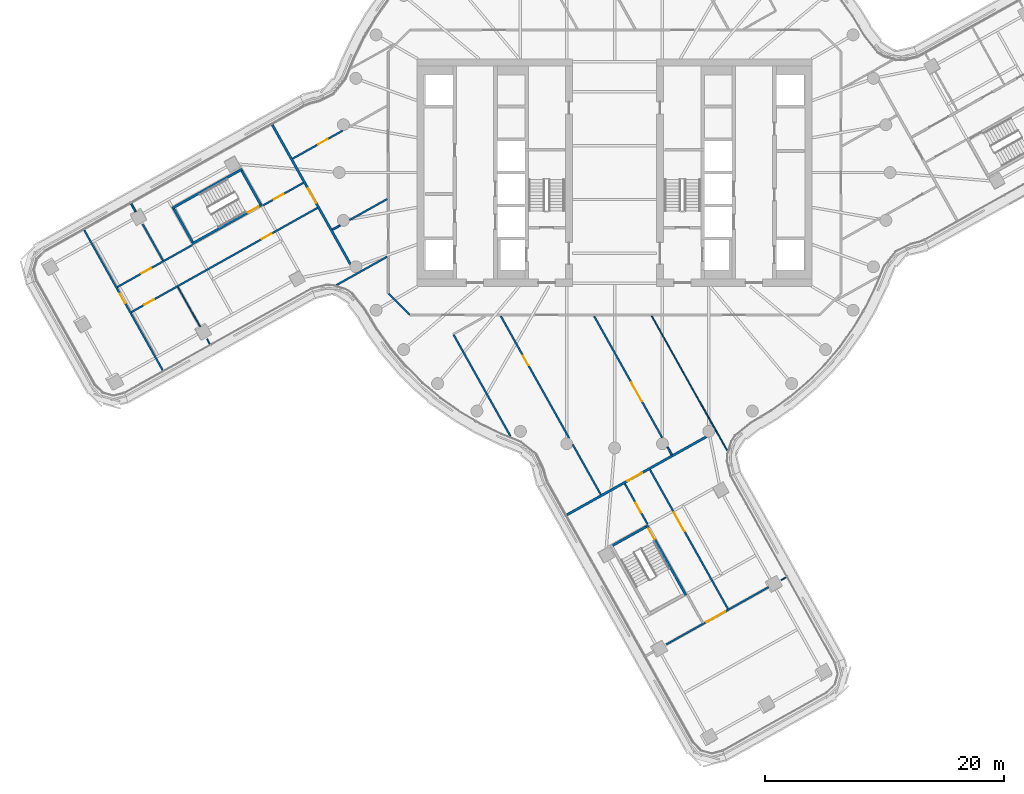
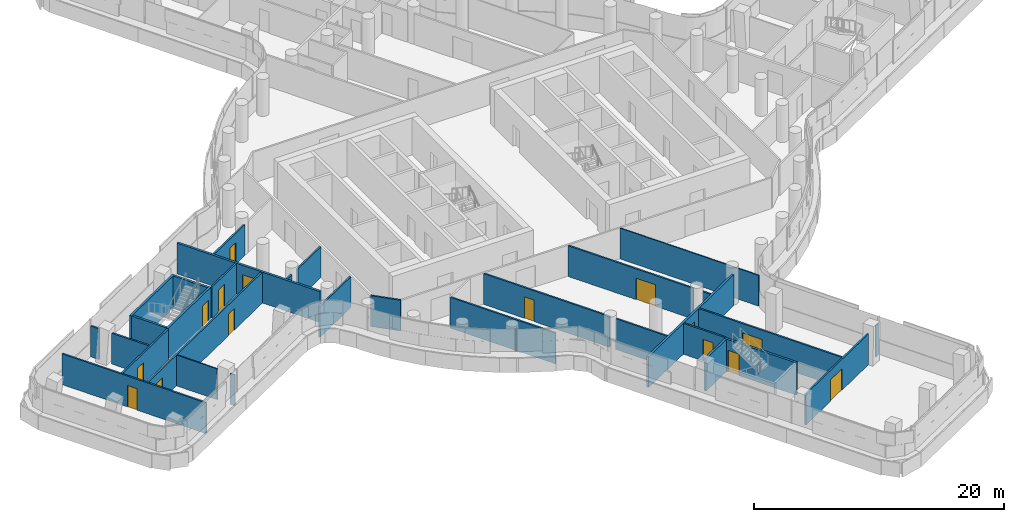
# One storey, part 21 of 34: 31 walls, 15 doors, 15 openings.
"""IFC4 building model written with IfcOpenShell, lengths in metres."""

from ifc_helpers import new_model, si_unit, direction, frame, frame_2d, origin, place, context, subcontext, project, spatial, polyline, rectangle, outline, extrude, material, layer, layer_set, type_object, element, fill, save


model = new_model("IFC4")

# Units and contexts
model_context = context("Model", 3, precision=1e-05, world=origin(), true_north=direction((0.0, 1.0)))
body_context = subcontext(model_context, "Body", "Model", "MODEL_VIEW")
ifc_project = project(units=[si_unit("LENGTHUNIT", "METRE"), si_unit("AREAUNIT", "SQUARE_METRE"), si_unit("VOLUMEUNIT", "CUBIC_METRE"), si_unit("PLANEANGLEUNIT", "RADIAN"), si_unit("MASSUNIT", "GRAM", prefix="KILO")], contexts=[model_context])

# Site, building, storey
site_placement = place(None, origin())
site = spatial("IfcSite", under=ifc_project, at=site_placement, CompositionType="ELEMENT")
building_placement = place(site_placement, origin())
building = spatial("IfcBuilding", under=site, at=building_placement, Name="Tamarind Cross Interchange Tower", CompositionType="ELEMENT")
storey_placement = place(building_placement, frame((0.0, 0.0, 140.5)))
storey = spatial("IfcBuildingStorey", under=building, at=storey_placement, Name="L34", CompositionType="ELEMENT", Elevation=140.5)

# Walls
ifc_material_1 = material(Name="Gypsum board partition on steel studs", Category="steel")
ifc_layer_1 = layer(ifc_material_1, 0.10009765625)
ifc_layer_set_1 = layer_set([ifc_layer_1], Name="Gypsum board partition on steel studs")
wall_type_1 = type_object("IfcWallType", Name="Partition 100 mm EI 90", PredefinedType="PARTITIONING", material=ifc_layer_set_1)
wall_1_placement = place(storey_placement, frame((-36.47021484375, -9.56640625, 0.0), z_axis=(0.0, 0.0, 1.0), x_axis=(0.488729084054, -0.872435603583, 0.0)))
element("IfcWall", 1, at=wall_1_placement, inside=storey, type_object=wall_type_1, Name="Partition L34-004", PredefinedType="PARTITIONING", context=body_context, shape_type="SweptSolid", body=[
    extrude(rectangle(XDim=3.784423828125, YDim=0.10009765625, at=frame_2d((1.89208984375, 0.0))), origin(), (0.0, 0.0, 1.0), 3.010009765625),
])
wall_2_placement = place(storey_placement, frame((-34.03759765625, -13.90869140625, 0.0), z_axis=(0.0, 0.0, 1.0), x_axis=(0.4890361074, -0.872263541402, 0.0)))
element("IfcWall", 2, at=wall_2_placement, inside=storey, type_object=wall_type_1, Name="Partition L34-005", PredefinedType="PARTITIONING", context=body_context, shape_type="SweptSolid", body=[
    extrude(rectangle(XDim=0.4638671875, YDim=0.10009765625, at=frame_2d((0.23193359375, 0.0))), origin(), (0.0, 0.0, 1.0), 3.010009765625),
])
wall_3_placement = place(storey_placement, frame((3.100341796875, -11.98291015625, 0.0), z_axis=(0.0, 0.0, 1.0), x_axis=(0.488708932558, -0.87244689193, 0.0)))
element("IfcWall", 3, at=wall_3_placement, inside=storey, type_object=wall_type_1, Name="Partition L34-025", PredefinedType="PARTITIONING", context=body_context, shape_type="SweptSolid", body=[
    extrude(rectangle(XDim=12.88720703125, YDim=0.10009765625, at=frame_2d((6.443603515625, 0.0))), origin(), (0.0, 0.0, 1.0), 3.010009765625),
])
wall_4_placement = place(storey_placement, frame((13.908935546875, -34.037841796875, 0.0), z_axis=(0.0, 0.0, 1.0), x_axis=(0.872488057613, 0.488635436008, 0.0)))
element("IfcWall", 4, at=wall_4_placement, inside=storey, type_object=wall_type_1, Name="Partition L34-059", PredefinedType="PARTITIONING", context=body_context, shape_type="SweptSolid", body=[
    extrude(rectangle(XDim=0.463623046875, YDim=0.10009765625, at=frame_2d((0.23193359375, 0.0))), origin(), (0.0, 0.0, 1.0), 3.010009765625),
])

# Wall, opening, door
ifc_layer_2 = layer(ifc_material_1, 0.14990234375)
ifc_layer_set_2 = layer_set([ifc_layer_2], Name="Gypsum board partition on steel studs")
wall_type_2 = type_object("IfcWallType", Name="Partition 150 mm EI 120", PredefinedType="PARTITIONING", material=ifc_layer_set_2)
wall_5_placement = place(storey_placement, frame((-44.29345703125, -4.808837890625, 0.0), z_axis=(0.0, 0.0, 1.0), x_axis=(0.488659933285, -0.872474337503, 0.0)))
wall_5 = element("IfcWall", 5, at=wall_5_placement, inside=storey, type_object=wall_type_2, Name="Partition L34-001", PredefinedType="PARTITIONING", context=body_context, shape_type="SweptSolid", body=[
    extrude(rectangle(XDim=13.405517578125, YDim=0.14990234375, at=frame_2d((6.70263671875, 0.0))), origin(), (0.0, 0.0, 1.0), 3.010009765625),
])
opening_1_placement = place(wall_5_placement, frame((6.0986328125, 0.0, 0.0)))
opening_1 = element("IfcOpeningElement", 6, at=opening_1_placement, cuts=wall_5, Name="Opening D01", PredefinedType="OPENING", context=body_context, shape_type="SweptSolid", body=[
    extrude(rectangle(XDim=0.89990234375, YDim=2.10009765625, at=frame_2d((0.449951171875, 1.050048828125))), frame((0.0, 0.0849609375, 0.0), z_axis=(0.0, -1.0, 0.0), x_axis=(1.0, 0.0, 0.0)), (0.0, 0.0, 1.0), 0.169921875),
])
ifc_material_2 = material(Name="Fire-resisting door set")
door_type_1 = type_object("IfcDoorType", Name="Interior door 900 x 2100 FD60S", OperationType="SINGLE_SWING_LEFT", PredefinedType="DOOR", material=ifc_material_2)
door_1_placement = place(opening_1_placement, frame((0.89990234375, 0.0, 0.0), z_axis=(0.0, 0.0, 1.0), x_axis=(-1.0, 0.0, 0.0)))
door_1 = element("IfcDoor", 7, at=door_1_placement, inside=storey, type_object=door_type_1, Name="Door D01", OperationType="SINGLE_SWING_LEFT", OverallHeight=2.10009765625, OverallWidth=0.89990234375, PredefinedType="DOOR", context=body_context, shape_type="SweptSolid", body=[
    extrude(rectangle(XDim=0.89990234375, YDim=2.10009765625, at=frame_2d((0.449951171875, 1.050048828125))), frame((0.0, 0.02490234375, 0.0), z_axis=(0.0, -1.0, 0.0), x_axis=(1.0, 0.0, 0.0)), (0.0, 0.0, 1.0), 0.050048828125),
])
fill(opening_1, door_1)

# Walls
wall_6_placement = place(storey_placement, frame((-40.367431640625, -2.60986328125, 0.0), z_axis=(0.0, 0.0, 1.0), x_axis=(0.488525278146, -0.8725497422, 0.0)))
element("IfcWall", 8, at=wall_6_placement, inside=storey, type_object=wall_type_2, Name="Partition L34-002", PredefinedType="PARTITIONING", context=body_context, shape_type="SweptSolid", body=[
    extrude(rectangle(XDim=0.76171875, YDim=0.14990234375, at=frame_2d((0.380859375, 0.0))), origin(), (0.0, 0.0, 1.0), 3.010009765625),
])
wall_7_placement = place(storey_placement, frame((-39.41162109375, -4.31591796875, 0.0), z_axis=(0.0, 0.0, 1.0), x_axis=(0.488706262219, -0.872448387739, 0.0)))
element("IfcWall", 9, at=wall_7_placement, inside=storey, type_object=wall_type_2, Name="Partition L34-003", PredefinedType="PARTITIONING", context=body_context, shape_type="SweptSolid", body=[
    extrude(rectangle(XDim=3.468017578125, YDim=0.14990234375, at=frame_2d((1.73388671875, 0.0))), origin(), (0.0, 0.0, 1.0), 3.010009765625),
])
wall_8_placement = place(storey_placement, frame((-13.462158203125, -13.517333984375, 0.0), z_axis=(0.0, 0.0, 1.0), x_axis=(0.488709890298, -0.872446355443, 0.0)))
element("IfcWall", 10, at=wall_8_placement, inside=storey, type_object=wall_type_2, Name="Partition L34-007", PredefinedType="PARTITIONING", context=body_context, shape_type="SweptSolid", body=[
    extrude(rectangle(XDim=9.7705078125, YDim=0.14990234375, at=frame_2d((4.88525390625, 0.0))), origin(), (0.0, 0.0, 1.0), 3.010009765625),
])

# Wall, opening, door
wall_9_placement = place(storey_placement, frame((-9.500244140625, -11.99609375, 0.0), z_axis=(0.0, 0.0, 1.0), x_axis=(0.488694934342, -0.872454733008, 0.0)))
wall_9 = element("IfcWall", 11, at=wall_9_placement, inside=storey, type_object=wall_type_2, Name="Partition L34-011", PredefinedType="PARTITIONING", context=body_context, shape_type="SweptSolid", body=[
    extrude(rectangle(XDim=11.691162109375, YDim=0.14990234375, at=frame_2d((5.845703125, 0.0))), origin(), (0.0, 0.0, 1.0), 3.010009765625),
])
opening_2_placement = place(wall_9_placement, frame((3.7900390625, 0.0, 0.0)))
opening_2 = element("IfcOpeningElement", 12, at=opening_2_placement, cuts=wall_9, Name="Opening D08", PredefinedType="OPENING", context=body_context, shape_type="SweptSolid", body=[
    extrude(rectangle(XDim=0.89990234375, YDim=2.10009765625, at=frame_2d((0.449951171875, 1.050048828125))), frame((0.0, 0.0849609375, 0.0), z_axis=(0.0, -1.0, 0.0), x_axis=(1.0, 0.0, 0.0)), (0.0, 0.0, 1.0), 0.169921875),
])
door_2_placement = place(opening_2_placement, frame((0.89990234375, 0.0, 0.0), z_axis=(0.0, 0.0, 1.0), x_axis=(-1.0, 0.0, 0.0)))
door_2 = element("IfcDoor", 13, at=door_2_placement, inside=storey, type_object=door_type_1, Name="Door D08", OperationType="SINGLE_SWING_LEFT", OverallHeight=2.10009765625, OverallWidth=0.89990234375, PredefinedType="DOOR", context=body_context, shape_type="SweptSolid", body=[
    extrude(rectangle(XDim=0.89990234375, YDim=2.10009765625, at=frame_2d((0.449951171875, 1.050048828125))), frame((0.0, 0.02490234375, 0.0), z_axis=(0.0, -1.0, 0.0), x_axis=(1.0, 0.0, 0.0)), (0.0, 0.0, 1.0), 0.050048828125),
])
fill(opening_2, door_2)

# Wall
wall_10_placement = place(storey_placement, frame((-3.49951171875, -22.708984375, 0.0), z_axis=(0.0, 0.0, 1.0), x_axis=(0.488642153458, -0.872484295483, 0.0)))
element("IfcWall", 14, at=wall_10_placement, inside=storey, type_object=wall_type_2, Name="Partition L34-012", PredefinedType="PARTITIONING", context=body_context, shape_type="SweptSolid", body=[
    extrude(rectangle(XDim=4.7919921875, YDim=0.14990234375, at=frame_2d((2.39599609375, 0.0))), origin(), (0.0, 0.0, 1.0), 3.010009765625),
])

# Wall, opening, door
wall_11_placement = place(storey_placement, frame((-1.706298828125, -11.99609375, 0.0), z_axis=(0.0, 0.0, 1.0), x_axis=(0.488648105698, -0.872480961854, 0.0)))
wall_11 = element("IfcWall", 15, at=wall_11_placement, inside=storey, type_object=wall_type_2, Name="Partition L34-017", PredefinedType="PARTITIONING", context=body_context, shape_type="SweptSolid", body=[
    extrude(rectangle(XDim=11.63232421875, YDim=0.14990234375, at=frame_2d((5.816162109375, 0.0))), origin(), (0.0, 0.0, 1.0), 3.010009765625),
])
opening_3_placement = place(wall_11_placement, frame((6.340087890625, 0.0, 0.0)))
opening_3 = element("IfcOpeningElement", 16, at=opening_3_placement, cuts=wall_11, Name="Opening D11", PredefinedType="OPENING", context=body_context, shape_type="SweptSolid", body=[
    extrude(rectangle(XDim=1.800048828125, YDim=2.10009765625, at=frame_2d((0.89990234375, 1.050048828125))), frame((0.0, 0.0849609375, 0.0), z_axis=(0.0, -1.0, 0.0), x_axis=(1.0, 0.0, 0.0)), (0.0, 0.0, 1.0), 0.169921875),
])
door_type_2 = type_object("IfcDoorType", Name="Interior door 1800 x 2100 FD60S", OperationType="DOUBLE_DOOR_SINGLE_SWING", PredefinedType="DOOR", material=ifc_material_2)
door_3_placement = place(opening_3_placement, origin())
door_3 = element("IfcDoor", 17, at=door_3_placement, inside=storey, type_object=door_type_2, Name="Door D11", OperationType="DOUBLE_DOOR_SINGLE_SWING", OverallHeight=2.10009765625, OverallWidth=1.800048828125, PredefinedType="DOOR", context=body_context, shape_type="SweptSolid", body=[
    extrude(rectangle(XDim=1.800048828125, YDim=2.10009765625, at=frame_2d((0.89990234375, 1.050048828125))), frame((0.0, 0.02490234375, 0.0), z_axis=(0.0, -1.0, 0.0), x_axis=(1.0, 0.0, 0.0)), (0.0, 0.0, 1.0), 0.050048828125),
])
fill(opening_3, door_3)

# Wall
wall_12_placement = place(storey_placement, frame((4.415283203125, -22.92578125, 0.0), z_axis=(0.0, 0.0, 1.0), x_axis=(0.488461705481, -0.872585332376, 0.0)))
element("IfcWall", 18, at=wall_12_placement, inside=storey, type_object=wall_type_2, Name="Partition L34-018", PredefinedType="PARTITIONING", context=body_context, shape_type="SweptSolid", body=[
    extrude(rectangle(XDim=0.734619140625, YDim=0.14990234375, at=frame_2d((0.3671875, 0.0))), origin(), (0.0, 0.0, 1.0), 3.010009765625),
])

# Wall, opening, door
wall_13_placement = place(storey_placement, frame((0.85888671875, -25.9892578125, 0.0), z_axis=(0.0, 0.0, 1.0), x_axis=(0.488716995413, -0.872442375401, 0.0)))
wall_13 = element("IfcWall", 19, at=wall_13_placement, inside=storey, type_object=wall_type_2, Name="Partition L34-020", PredefinedType="PARTITIONING", context=body_context, shape_type="SweptSolid", body=[
    extrude(rectangle(XDim=3.860107421875, YDim=0.14990234375, at=frame_2d((1.93017578125, 0.0))), origin(), (0.0, 0.0, 1.0), 3.010009765625),
])
opening_4_placement = place(wall_13_placement, frame((1.85009765625, 0.0, 0.0)))
opening_4 = element("IfcOpeningElement", 20, at=opening_4_placement, cuts=wall_13, Name="Opening D13", PredefinedType="OPENING", context=body_context, shape_type="SweptSolid", body=[
    extrude(rectangle(XDim=0.89990234375, YDim=2.10009765625, at=frame_2d((0.449951171875, 1.050048828125))), frame((0.0, 0.0849609375, 0.0), z_axis=(0.0, -1.0, 0.0), x_axis=(1.0, 0.0, 0.0)), (0.0, 0.0, 1.0), 0.169921875),
])
door_4_placement = place(opening_4_placement, frame((0.89990234375, 0.0, 0.0), z_axis=(0.0, 0.0, 1.0), x_axis=(-1.0, 0.0, 0.0)))
door_4 = element("IfcDoor", 21, at=door_4_placement, inside=storey, type_object=door_type_1, Name="Door D13", OperationType="SINGLE_SWING_RIGHT", OverallHeight=2.10009765625, OverallWidth=0.89990234375, PredefinedType="DOOR", context=body_context, shape_type="SweptSolid", body=[
    extrude(rectangle(XDim=0.89990234375, YDim=2.10009765625, at=frame_2d((0.449951171875, 1.050048828125))), frame((0.0, 0.02490234375, 0.0), z_axis=(0.0, -1.0, 0.0), x_axis=(1.0, 0.0, 0.0)), (0.0, 0.0, 1.0), 0.050048828125),
])
fill(opening_4, door_4)

wall_14_placement = place(storey_placement, frame((2.952880859375, -24.816162109375, 0.0), z_axis=(0.0, 0.0, 1.0), x_axis=(0.488671992066, -0.87246758345, 0.0)))
wall_14 = element("IfcWall", 22, at=wall_14_placement, inside=storey, type_object=wall_type_2, Name="Partition L34-024", PredefinedType="PARTITIONING", context=body_context, shape_type="SweptSolid", body=[
    extrude(rectangle(XDim=13.324951171875, YDim=0.14990234375, at=frame_2d((6.66259765625, 0.0))), origin(), (0.0, 0.0, 1.0), 3.010009765625),
])
opening_5_placement = place(wall_14_placement, frame((4.10009765625, 0.0, 0.0)))
opening_5 = element("IfcOpeningElement", 23, at=opening_5_placement, cuts=wall_14, Name="Opening D16", PredefinedType="OPENING", context=body_context, shape_type="SweptSolid", body=[
    extrude(rectangle(XDim=1.800048828125, YDim=2.10009765625, at=frame_2d((0.89990234375, 1.050048828125))), frame((0.0, 0.0849609375, 0.0), z_axis=(0.0, -1.0, 0.0), x_axis=(1.0, 0.0, 0.0)), (0.0, 0.0, 1.0), 0.169921875),
])
door_5_placement = place(opening_5_placement, frame((1.800048828125, 0.0, 0.0), z_axis=(0.0, 0.0, 1.0), x_axis=(-1.0, 0.0, 0.0)))
door_5 = element("IfcDoor", 24, at=door_5_placement, inside=storey, type_object=door_type_2, Name="Door D16", OperationType="DOUBLE_DOOR_SINGLE_SWING", OverallHeight=2.10009765625, OverallWidth=1.800048828125, PredefinedType="DOOR", context=body_context, shape_type="SweptSolid", body=[
    extrude(rectangle(XDim=1.800048828125, YDim=2.10009765625, at=frame_2d((0.89990234375, 1.050048828125))), frame((0.0, 0.02490234375, 0.0), z_axis=(0.0, -1.0, 0.0), x_axis=(1.0, 0.0, 0.0)), (0.0, 0.0, 1.0), 0.050048828125),
])
fill(opening_5, door_5)

# Wall
wall_15_placement = place(storey_placement, frame((-18.87158203125, -10.12841796875, 0.0), z_axis=(0.0, 0.0, 1.0), x_axis=(0.707106781187, -0.707106781187, 0.0)))
element("IfcWall", 25, at=wall_15_placement, inside=storey, type_object=wall_type_2, Name="Partition L34-034", PredefinedType="PARTITIONING", context=body_context, shape_type="SweptSolid", body=[
    extrude(rectangle(XDim=2.465087890625, YDim=0.14990234375, at=frame_2d((1.232421875, 0.0))), origin(), (0.0, 0.0, 1.0), 3.010009765625),
])

# Wall, opening, door
wall_16_placement = place(storey_placement, frame((-41.54052734375, -9.5693359375, 0.0), z_axis=(0.0, 0.0, 1.0), x_axis=(0.872462553223, 0.488680972849, 0.0)))
wall_16 = element("IfcWall", 26, at=wall_16_placement, inside=storey, type_object=wall_type_2, Name="Partition L34-038", PredefinedType="PARTITIONING", context=body_context, shape_type="SweptSolid", body=[
    extrude(rectangle(XDim=7.1845703125, YDim=0.14990234375, at=frame_2d((3.59228515625, 0.0))), origin(), (0.0, 0.0, 1.0), 3.010009765625),
])
opening_6_placement = place(wall_16_placement, frame((2.324951171875, 0.0, 0.0)))
opening_6 = element("IfcOpeningElement", 27, at=opening_6_placement, cuts=wall_16, Name="Opening D25", PredefinedType="OPENING", context=body_context, shape_type="SweptSolid", body=[
    extrude(rectangle(XDim=0.89990234375, YDim=2.10009765625, at=frame_2d((0.449951171875, 1.050048828125))), frame((0.0, 0.0849609375, 0.0), z_axis=(0.0, -1.0, 0.0), x_axis=(1.0, 0.0, 0.0)), (0.0, 0.0, 1.0), 0.169921875),
])
door_6_placement = place(opening_6_placement, origin())
door_6 = element("IfcDoor", 28, at=door_6_placement, inside=storey, type_object=door_type_1, Name="Door D25", OperationType="SINGLE_SWING_RIGHT", OverallHeight=2.10009765625, OverallWidth=0.89990234375, PredefinedType="DOOR", context=body_context, shape_type="SweptSolid", body=[
    extrude(rectangle(XDim=0.89990234375, YDim=2.10009765625, at=frame_2d((0.449951171875, 1.050048828125))), frame((0.0, 0.02490234375, 0.0), z_axis=(0.0, -1.0, 0.0), x_axis=(1.0, 0.0, 0.0)), (0.0, 0.0, 1.0), 0.050048828125),
])
fill(opening_6, door_6)

wall_17_placement = place(storey_placement, frame((-29.35693359375, -2.7451171875, 0.0), z_axis=(0.0, 0.0, 1.0), x_axis=(0.872469342408, 0.488668851634, 0.0)))
wall_17 = element("IfcWall", 29, at=wall_17_placement, inside=storey, type_object=wall_type_2, Name="Partition L34-039", PredefinedType="PARTITIONING", context=body_context, shape_type="SweptSolid", body=[
    extrude(rectangle(XDim=3.85986328125, YDim=0.14990234375, at=frame_2d((1.929931640625, 0.0))), origin(), (0.0, 0.0, 1.0), 3.010009765625),
])
opening_7_placement = place(wall_17_placement, frame((1.050048828125, 0.0, 0.0)))
opening_7 = element("IfcOpeningElement", 30, at=opening_7_placement, cuts=wall_17, Name="Opening D26", PredefinedType="OPENING", context=body_context, shape_type="SweptSolid", body=[
    extrude(rectangle(XDim=0.89990234375, YDim=2.10009765625, at=frame_2d((0.449951171875, 1.050048828125))), frame((0.0, 0.0849609375, 0.0), z_axis=(0.0, -1.0, 0.0), x_axis=(1.0, 0.0, 0.0)), (0.0, 0.0, 1.0), 0.169921875),
])
door_7_placement = place(opening_7_placement, origin())
door_7 = element("IfcDoor", 31, at=door_7_placement, inside=storey, type_object=door_type_1, Name="Door D26", OperationType="SINGLE_SWING_RIGHT", OverallHeight=2.10009765625, OverallWidth=0.89990234375, PredefinedType="DOOR", context=body_context, shape_type="SweptSolid", body=[
    extrude(rectangle(XDim=0.89990234375, YDim=2.10009765625, at=frame_2d((0.449951171875, 1.050048828125))), frame((0.0, 0.02490234375, 0.0), z_axis=(0.0, -1.0, 0.0), x_axis=(1.0, 0.0, 0.0)), (0.0, 0.0, 1.0), 0.050048828125),
])
fill(opening_7, door_7)

# Wall, openings, doors
wall_18_placement = place(storey_placement, frame((-40.36767578125, -11.663330078125, 0.0), z_axis=(0.0, 0.0, 1.0), x_axis=(0.87246770915, 0.488671767642, 0.0)))
wall_18 = element("IfcWall", 32, at=wall_18_placement, inside=storey, type_object=wall_type_2, Name="Partition L34-040", PredefinedType="PARTITIONING", context=body_context, shape_type="SweptSolid", body=[
    extrude(rectangle(XDim=17.82470703125, YDim=0.14990234375, at=frame_2d((8.912353515625, 0.0))), origin(), (0.0, 0.0, 1.0), 3.010009765625),
])
opening_8_placement = place(wall_18_placement, frame((12.52490234375, 0.0, 0.0)))
opening_8 = element("IfcOpeningElement", 33, at=opening_8_placement, cuts=wall_18, Name="Opening D27", PredefinedType="OPENING", context=body_context, shape_type="SweptSolid", body=[
    extrude(rectangle(XDim=0.89990234375, YDim=2.10009765625, at=frame_2d((0.449951171875, 1.050048828125))), frame((0.0, 0.0849609375, 0.0), z_axis=(0.0, -1.0, 0.0), x_axis=(1.0, 0.0, 0.0)), (0.0, 0.0, 1.0), 0.169921875),
])
opening_9_placement = place(wall_18_placement, frame((1.27490234375, 0.0, 0.0)))
opening_9 = element("IfcOpeningElement", 34, at=opening_9_placement, cuts=wall_18, Name="Opening D28", PredefinedType="OPENING", context=body_context, shape_type="SweptSolid", body=[
    extrude(rectangle(XDim=0.89990234375, YDim=2.10009765625, at=frame_2d((0.449951171875, 1.050048828125))), frame((0.0, 0.0849609375, 0.0), z_axis=(0.0, -1.0, 0.0), x_axis=(1.0, 0.0, 0.0)), (0.0, 0.0, 1.0), 0.169921875),
])
door_8_placement = place(opening_8_placement, frame((0.89990234375, 0.0, 0.0), z_axis=(0.0, 0.0, 1.0), x_axis=(-1.0, 0.0, 0.0)))
door_8 = element("IfcDoor", 35, at=door_8_placement, inside=storey, type_object=door_type_1, Name="Door D27", OperationType="SINGLE_SWING_RIGHT", OverallHeight=2.10009765625, OverallWidth=0.89990234375, PredefinedType="DOOR", context=body_context, shape_type="SweptSolid", body=[
    extrude(rectangle(XDim=0.89990234375, YDim=2.10009765625, at=frame_2d((0.449951171875, 1.050048828125))), frame((0.0, 0.02490234375, 0.0), z_axis=(0.0, -1.0, 0.0), x_axis=(1.0, 0.0, 0.0)), (0.0, 0.0, 1.0), 0.050048828125),
])
fill(opening_8, door_8)
door_9_placement = place(opening_9_placement, frame((0.89990234375, 0.0, 0.0), z_axis=(0.0, 0.0, 1.0), x_axis=(-1.0, 0.0, 0.0)))
door_9 = element("IfcDoor", 36, at=door_9_placement, inside=storey, type_object=door_type_1, Name="Door D28", OperationType="SINGLE_SWING_LEFT", OverallHeight=2.10009765625, OverallWidth=0.89990234375, PredefinedType="DOOR", context=body_context, shape_type="SweptSolid", body=[
    extrude(rectangle(XDim=0.89990234375, YDim=2.10009765625, at=frame_2d((0.449951171875, 1.050048828125))), frame((0.0, 0.02490234375, 0.0), z_axis=(0.0, -1.0, 0.0), x_axis=(1.0, 0.0, 0.0)), (0.0, 0.0, 1.0), 0.050048828125),
])
fill(opening_9, door_9)

# Wall, opening, door
wall_19_placement = place(storey_placement, frame((-26.889892578125, 1.157958984375, 0.0), z_axis=(0.0, 0.0, 1.0), x_axis=(0.872484295483, 0.488642153458, 0.0)))
wall_19 = element("IfcWall", 37, at=wall_19_placement, inside=storey, type_object=wall_type_2, Name="Partition L34-041", PredefinedType="PARTITIONING", context=body_context, shape_type="SweptSolid", body=[
    extrude(rectangle(XDim=4.7919921875, YDim=0.14990234375, at=frame_2d((2.39599609375, 0.0))), origin(), (0.0, 0.0, 1.0), 3.010009765625),
])
opening_10_placement = place(wall_19_placement, frame((2.449951171875, 0.0, 0.0)))
opening_10 = element("IfcOpeningElement", 38, at=opening_10_placement, cuts=wall_19, Name="Opening D29", PredefinedType="OPENING", context=body_context, shape_type="SweptSolid", body=[
    extrude(rectangle(XDim=0.89990234375, YDim=2.10009765625, at=frame_2d((0.449951171875, 1.050048828125))), frame((0.0, 0.0849609375, 0.0), z_axis=(0.0, -1.0, 0.0), x_axis=(1.0, 0.0, 0.0)), (0.0, 0.0, 1.0), 0.169921875),
])
door_10_placement = place(opening_10_placement, origin())
door_10 = element("IfcDoor", 39, at=door_10_placement, inside=storey, type_object=door_type_1, Name="Door D29", OperationType="SINGLE_SWING_LEFT", OverallHeight=2.10009765625, OverallWidth=0.89990234375, PredefinedType="DOOR", context=body_context, shape_type="SweptSolid", body=[
    extrude(rectangle(XDim=0.89990234375, YDim=2.10009765625, at=frame_2d((0.449951171875, 1.050048828125))), frame((0.0, 0.02490234375, 0.0), z_axis=(0.0, -1.0, 0.0), x_axis=(1.0, 0.0, 0.0)), (0.0, 0.0, 1.0), 0.050048828125),
])
fill(opening_10, door_10)

# Walls
wall_20_placement = place(storey_placement, frame((-23.566650390625, -4.774169921875, 0.0), z_axis=(0.0, 0.0, 1.0), x_axis=(0.87250601595, 0.488603368932, 0.0)))
element("IfcWall", 40, at=wall_20_placement, inside=storey, type_object=wall_type_2, Name="Partition L34-043", PredefinedType="PARTITIONING", context=body_context, shape_type="SweptSolid", body=[
    extrude(rectangle(XDim=0.734619140625, YDim=0.14990234375, at=frame_2d((0.3671875, 0.0))), origin(), (0.0, 0.0, 1.0), 3.010009765625),
])
wall_21_placement = place(storey_placement, frame((-22.14501953125, -3.97802734375, 0.0), z_axis=(0.0, 0.0, 1.0), x_axis=(0.872502555335, 0.488609548549, 0.0)))
element("IfcWall", 41, at=wall_21_placement, inside=storey, type_object=wall_type_2, Name="Partition L34-044", PredefinedType="PARTITIONING", context=body_context, shape_type="SweptSolid", body=[
    extrude(rectangle(XDim=3.609130859375, YDim=0.14990234375, at=frame_2d((1.8046875, 0.0))), origin(), (0.0, 0.0, 1.0), 3.010009765625),
])
wall_22_placement = place(storey_placement, frame((-23.2265625, -9.398193359375, 0.0), z_axis=(0.0, 0.0, 1.0), x_axis=(0.87247768069, 0.488653964168, 0.0)))
element("IfcWall", 42, at=wall_22_placement, inside=storey, type_object=wall_type_2, Name="Partition L34-045", PredefinedType="PARTITIONING", context=body_context, shape_type="SweptSolid", body=[
    extrude(rectangle(XDim=4.848876953125, YDim=0.14990234375, at=frame_2d((2.42431640625, 0.0))), origin(), (0.0, 0.0, 1.0), 3.010009765625),
])

# Wall, opening, door
wall_23_placement = place(storey_placement, frame((4.316162109375, -39.41162109375, 0.0), z_axis=(0.0, 0.0, 1.0), x_axis=(0.872440179813, 0.488720914887, 0.0)))
wall_23 = element("IfcWall", 43, at=wall_23_placement, inside=storey, type_object=wall_type_2, Name="Partition L34-058", PredefinedType="PARTITIONING", context=body_context, shape_type="SweptSolid", body=[
    extrude(rectangle(XDim=9.802734375, YDim=0.14990234375, at=frame_2d((4.9013671875, 0.0))), origin(), (0.0, 0.0, 1.0), 3.010009765625),
])
opening_11_placement = place(wall_23_placement, frame((3.843017578125, 0.0, 0.0)))
opening_11 = element("IfcOpeningElement", 44, at=opening_11_placement, cuts=wall_23, Name="Opening D33", PredefinedType="OPENING", context=body_context, shape_type="SweptSolid", body=[
    extrude(rectangle(XDim=1.800048828125, YDim=2.10009765625, at=frame_2d((0.89990234375, 1.050048828125))), frame((0.0, 0.0849609375, 0.0), z_axis=(0.0, -1.0, 0.0), x_axis=(1.0, 0.0, 0.0)), (0.0, 0.0, 1.0), 0.169921875),
])
door_11_placement = place(opening_11_placement, origin())
door_11 = element("IfcDoor", 45, at=door_11_placement, inside=storey, type_object=door_type_2, Name="Door D33", OperationType="DOUBLE_DOOR_SINGLE_SWING", OverallHeight=2.10009765625, OverallWidth=1.800048828125, PredefinedType="DOOR", context=body_context, shape_type="SweptSolid", body=[
    extrude(rectangle(XDim=1.800048828125, YDim=2.10009765625, at=frame_2d((0.89990234375, 1.050048828125))), frame((0.0, 0.02490234375, 0.0), z_axis=(0.0, -1.0, 0.0), x_axis=(1.0, 0.0, 0.0)), (0.0, 0.0, 1.0), 0.050048828125),
])
fill(opening_11, door_11)

ifc_layer_3 = layer(ifc_material_1, 0.199951171875)
ifc_layer_set_3 = layer_set([ifc_layer_3], Name="Gypsum board partition on steel studs")
wall_type_3 = type_object("IfcWallType", Name="Partition 200 mm EI 180", PredefinedType="PARTITIONING", material=ifc_layer_set_3)
wall_24_placement = place(storey_placement, frame((-28.589599609375, 3.9873046875, 0.0), z_axis=(0.0, 0.0, 1.0), x_axis=(0.488757104247, -0.87241990638, 0.0)))
wall_24 = element("IfcWall", 46, at=wall_24_placement, inside=storey, type_object=wall_type_3, Name="Partition L34-006", PredefinedType="PARTITIONING", context=body_context, shape_type="SweptSolid", body=[
    extrude(rectangle(XDim=13.345947265625, YDim=0.199951171875, at=frame_2d((6.6728515625, 0.0))), origin(), (0.0, 0.0, 1.0), 3.010009765625),
])
opening_12_placement = place(wall_24_placement, frame((6.098876953125, 0.0, 0.0)))
opening_12 = element("IfcOpeningElement", 47, at=opening_12_placement, cuts=wall_24, Name="Opening D02", PredefinedType="OPENING", context=body_context, shape_type="SweptSolid", body=[
    extrude(rectangle(XDim=1.39990234375, YDim=2.10009765625, at=frame_2d((0.699951171875, 1.050048828125))), frame((0.0, 0.10986328125, 0.0), z_axis=(0.0, -1.0, 0.0), x_axis=(1.0, 0.0, 0.0)), (0.0, 0.0, 1.0), 0.219970703125),
])
door_type_3 = type_object("IfcDoorType", Name="Interior door 1400 x 2100 FD120S", OperationType="DOUBLE_DOOR_SINGLE_SWING", PredefinedType="DOOR", material=ifc_material_2)
door_12_placement = place(opening_12_placement, origin())
door_12 = element("IfcDoor", 48, at=door_12_placement, inside=storey, type_object=door_type_3, Name="Door D02", OperationType="DOUBLE_DOOR_SINGLE_SWING", OverallHeight=2.10009765625, OverallWidth=1.39990234375, PredefinedType="DOOR", context=body_context, shape_type="SweptSolid", body=[
    extrude(rectangle(XDim=1.39990234375, YDim=2.10009765625, at=frame_2d((0.699951171875, 1.050048828125))), frame((0.0, 0.02490234375, 0.0), z_axis=(0.0, -1.0, 0.0), x_axis=(1.0, 0.0, 0.0)), (0.0, 0.0, 1.0), 0.050048828125),
])
fill(opening_12, door_12)

wall_25_placement = place(storey_placement, frame((-3.9873046875, -28.589599609375, 0.0), z_axis=(0.0, 0.0, 1.0), x_axis=(0.87241990638, 0.488757104247, 0.0)))
wall_25 = element("IfcWall", 49, at=wall_25_placement, inside=storey, type_object=wall_type_3, Name="Partition L34-056", PredefinedType="PARTITIONING", context=body_context, shape_type="SweptSolid", body=[
    extrude(rectangle(XDim=13.345947265625, YDim=0.199951171875, at=frame_2d((6.6728515625, 0.0))), origin(), (0.0, 0.0, 1.0), 3.010009765625),
])
opening_13_placement = place(wall_25_placement, frame((5.798828125, 0.0, 0.0)))
opening_13 = element("IfcOpeningElement", 50, at=opening_13_placement, cuts=wall_25, Name="Opening D32", PredefinedType="OPENING", context=body_context, shape_type="SweptSolid", body=[
    extrude(rectangle(XDim=1.39990234375, YDim=2.10009765625, at=frame_2d((0.699951171875, 1.050048828125))), frame((0.0, 0.10986328125, 0.0), z_axis=(0.0, -1.0, 0.0), x_axis=(1.0, 0.0, 0.0)), (0.0, 0.0, 1.0), 0.219970703125),
])
door_13_placement = place(opening_13_placement, origin())
door_13 = element("IfcDoor", 51, at=door_13_placement, inside=storey, type_object=door_type_3, Name="Door D32", OperationType="DOUBLE_DOOR_SINGLE_SWING", OverallHeight=2.10009765625, OverallWidth=1.39990234375, PredefinedType="DOOR", context=body_context, shape_type="SweptSolid", body=[
    extrude(rectangle(XDim=1.39990234375, YDim=2.10009765625, at=frame_2d((0.699951171875, 1.050048828125))), frame((0.0, 0.02490234375, 0.0), z_axis=(0.0, -1.0, 0.0), x_axis=(1.0, 0.0, 0.0)), (0.0, 0.0, 1.0), 0.050048828125),
])
fill(opening_13, door_13)

ifc_material_3 = material(Name="Concrete C40", Category="concrete")
ifc_layer_4 = layer(ifc_material_3, 0.199951171875)
ifc_layer_set_4 = layer_set([ifc_layer_4], Name="Concrete C40")
wall_type_4 = type_object("IfcWallType", Name="Stair shaft wall 200 mm Concrete C40", PredefinedType="SHEAR", material=ifc_layer_set_4)
wall_26_placement = place(storey_placement, frame((-29.4404296875, -2.677490234375, -0.139892578125), z_axis=(0.0, 0.0, 1.0), x_axis=(-0.872445115734, -0.488712103422, 0.0)))
wall_26 = element("IfcWall", 52, at=wall_26_placement, inside=storey, type_object=wall_type_4, Name="Core wall CWL-L34-ST5-H", PredefinedType="SHEAR", context=body_context, shape_type="SweptSolid", body=[
    extrude(rectangle(XDim=6.7001953125, YDim=0.199951171875, at=frame_2d((3.35009765625, 0.0))), origin(), (0.0, 0.0, 1.0), 3.14990234375),
])
opening_14_placement = place(wall_26_placement, frame((0.35009765625, 0.0, 0.0)))
opening_14 = element("IfcOpeningElement", 53, at=opening_14_placement, cuts=wall_26, Name="Opening ST5L34", PredefinedType="OPENING", context=body_context, shape_type="SweptSolid", body=[
    extrude(rectangle(XDim=1.0, YDim=2.10009765625, at=frame_2d((0.5, 1.050048828125))), frame((0.0, 0.10986328125, 0.0), z_axis=(0.0, -1.0, 0.0), x_axis=(1.0, 0.0, 0.0)), (0.0, 0.0, 1.0), 0.219970703125),
])
ifc_material_4 = material(Name="Steel, fire-resisting", Category="steel")
door_type_4 = type_object("IfcDoorType", Name="Core fire door 1000 x 2100 FD90", OperationType="SINGLE_SWING_LEFT", PredefinedType="DOOR", material=ifc_material_4)
door_14_placement = place(opening_14_placement, origin())
door_14 = element("IfcDoor", 54, at=door_14_placement, inside=storey, type_object=door_type_4, Name="L34 stair door ST5", OperationType="SINGLE_SWING_LEFT", OverallHeight=2.10009765625, OverallWidth=1.0, PredefinedType="DOOR", context=body_context, shape_type="SweptSolid", body=[
    extrude(rectangle(XDim=1.0, YDim=2.10009765625, at=frame_2d((0.5, 1.050048828125))), frame((0.0, 0.02490234375, 0.0), z_axis=(0.0, -1.0, 0.0), x_axis=(1.0, 0.0, 0.0)), (0.0, 0.0, 1.0), 0.050048828125),
])
fill(opening_14, door_14)

# Walls
wall_27_placement = place(storey_placement, frame((-31.10205078125, 0.288818359375, -0.139892578125), z_axis=(0.0, 0.0, 1.0), x_axis=(-0.872460651983, -0.488684367195, 0.0)))
element("IfcWall", 55, at=wall_27_placement, inside=storey, type_object=wall_type_4, Name="Core wall CWL-L34-ST5-C", PredefinedType="SHEAR", context=body_context, shape_type="SweptSolid", body=[
    extrude(rectangle(XDim=6.699951171875, YDim=0.199951171875, at=frame_2d((3.35009765625, 0.0))), origin(), (0.0, 0.0, 1.0), 3.14990234375),
])
wall_28_placement = place(storey_placement, frame((-31.140380859375, 0.152587890625, -0.139892578125), z_axis=(0.0, 0.0, 1.0), x_axis=(0.488684682526, -0.87246047536, 0.0)))
element("IfcWall", 56, at=wall_28_placement, inside=storey, type_object=wall_type_4, Name="Core wall CWL-L34-ST5-CE", PredefinedType="SHEAR", context=body_context, shape_type="SweptSolid", body=[
    extrude(rectangle(XDim=3.199951171875, YDim=0.199951171875, at=frame_2d((1.60009765625, 0.0))), origin(), (0.0, 0.0, 1.0), 3.14990234375),
])
wall_29_placement = place(storey_placement, frame((0.0, 0.0, -0.139892578125)))
element("IfcWall", 57, at=wall_29_placement, inside=storey, type_object=wall_type_4, Name="Core wall CWL-L34-ST5-CF", PredefinedType="SHEAR", context=body_context, shape_type="SweptSolid", body=[
    extrude(outline(polyline([(-36.72412109375, -2.974853515625), (-36.898681640625, -3.07275390625), (-35.334716796875, -5.864501953125), (-35.160400390625, -5.766845703125), (-36.72412109375, -2.974853515625)])), origin(), (0.0, 0.0, 1.0), 3.14990234375),
])

# Wall, opening, door
wall_30_placement = place(storey_placement, frame((2.677490234375, -29.4404296875, -0.139892578125), z_axis=(0.0, 0.0, 1.0), x_axis=(0.488712103422, -0.872445115734, 0.0)))
wall_30 = element("IfcWall", 58, at=wall_30_placement, inside=storey, type_object=wall_type_4, Name="Core wall CWL-L34-ST6-H", PredefinedType="SHEAR", context=body_context, shape_type="SweptSolid", body=[
    extrude(rectangle(XDim=6.7001953125, YDim=0.199951171875, at=frame_2d((3.35009765625, 0.0))), origin(), (0.0, 0.0, 1.0), 3.14990234375),
])
opening_15_placement = place(wall_30_placement, frame((0.35009765625, 0.0, 0.0)))
opening_15 = element("IfcOpeningElement", 59, at=opening_15_placement, cuts=wall_30, Name="Opening ST6L34", PredefinedType="OPENING", context=body_context, shape_type="SweptSolid", body=[
    extrude(rectangle(XDim=1.0, YDim=2.10009765625, at=frame_2d((0.5, 1.050048828125))), frame((0.0, 0.10986328125, 0.0), z_axis=(0.0, -1.0, 0.0), x_axis=(1.0, 0.0, 0.0)), (0.0, 0.0, 1.0), 0.219970703125),
])
door_15_placement = place(opening_15_placement, origin())
door_15 = element("IfcDoor", 60, at=door_15_placement, inside=storey, type_object=door_type_4, Name="L34 stair door ST6", OperationType="SINGLE_SWING_LEFT", OverallHeight=2.10009765625, OverallWidth=1.0, PredefinedType="DOOR", context=body_context, shape_type="SweptSolid", body=[
    extrude(rectangle(XDim=1.0, YDim=2.10009765625, at=frame_2d((0.5, 1.050048828125))), frame((0.0, 0.02490234375, 0.0), z_axis=(0.0, -1.0, 0.0), x_axis=(1.0, 0.0, 0.0)), (0.0, 0.0, 1.0), 0.050048828125),
])
fill(opening_15, door_15)

# Wall
wall_31_placement = place(storey_placement, frame((-0.152587890625, -31.140380859375, -0.139892578125), z_axis=(0.0, 0.0, 1.0), x_axis=(0.87246047536, 0.488684682526, 0.0)))
element("IfcWall", 61, at=wall_31_placement, inside=storey, type_object=wall_type_4, Name="Core wall CWL-L34-ST6-CE", PredefinedType="SHEAR", context=body_context, shape_type="SweptSolid", body=[
    extrude(rectangle(XDim=3.199951171875, YDim=0.199951171875, at=frame_2d((1.60009765625, 0.0))), origin(), (0.0, 0.0, 1.0), 3.14990234375),
])

save(model, "model.ifc")
